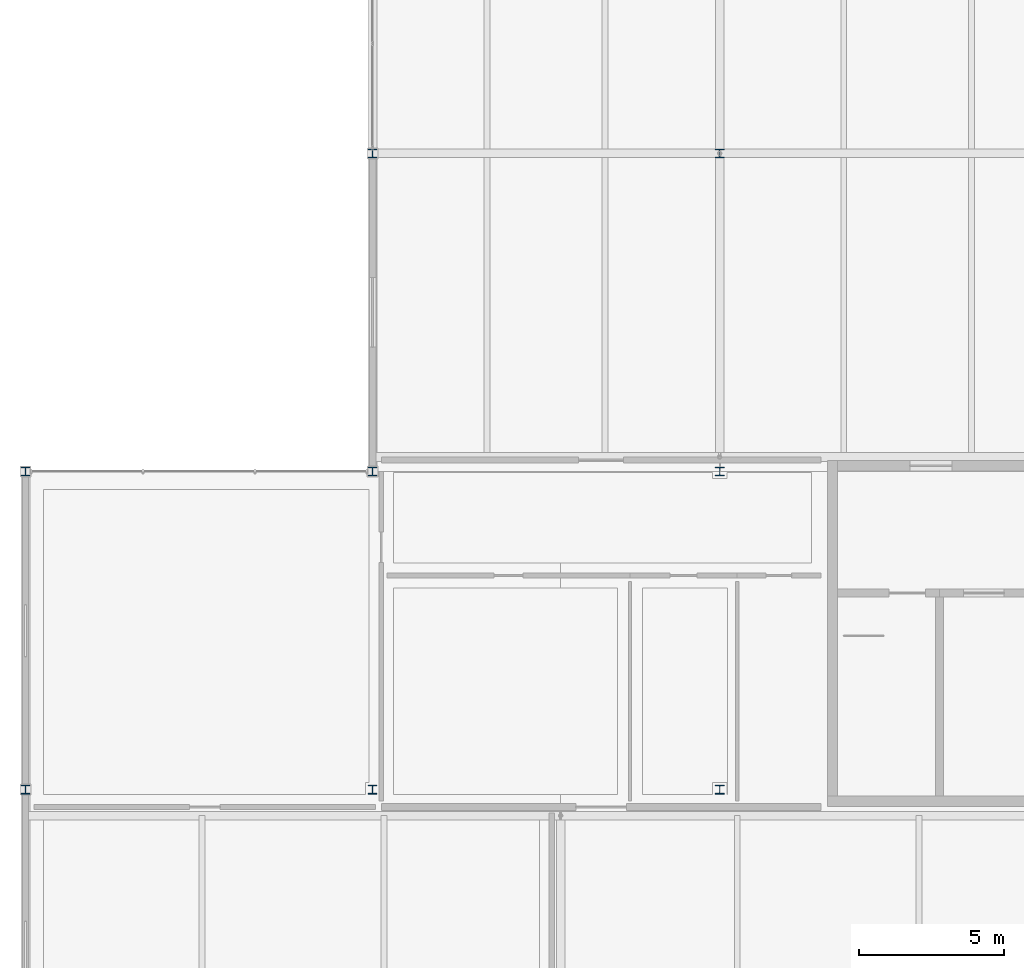
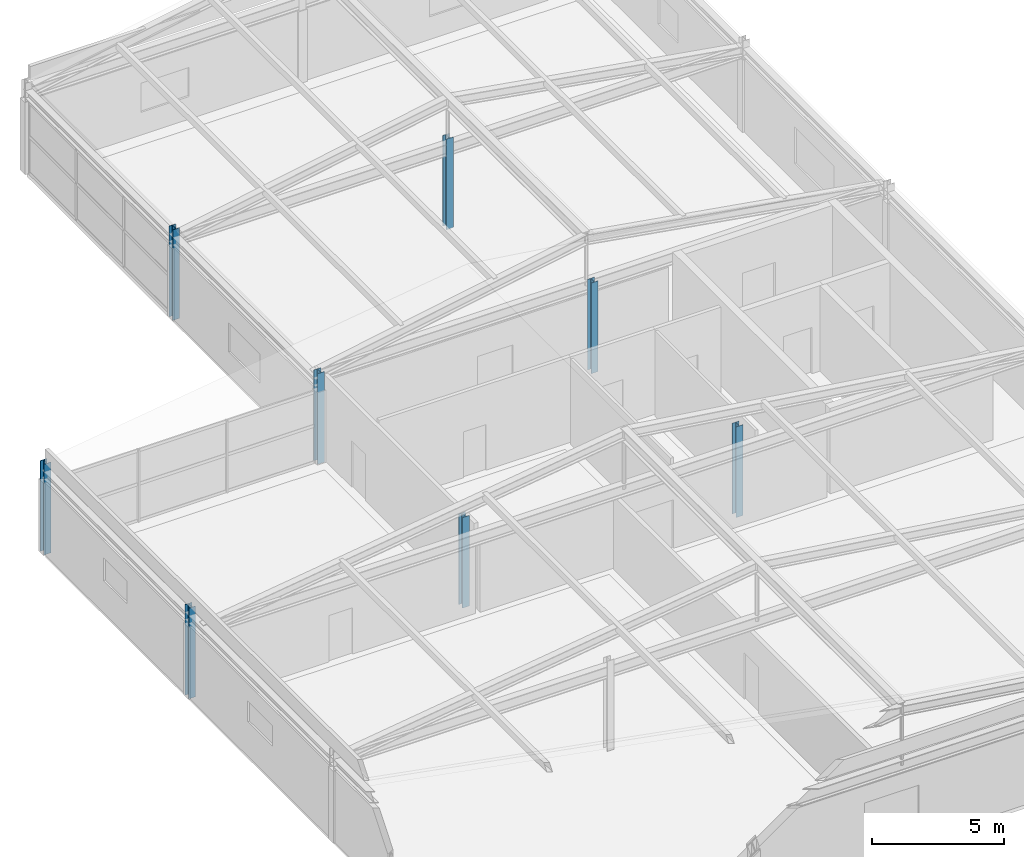
# One storey, part 5 of 63: 8 columns.
"""IFC4 building model written with IfcOpenShell, lengths in metres."""

import ifcopenshell
import ifcopenshell.guid

model = None  # the IFC model being written
_history = None  # IfcOwnerHistory: only IFC2X3 demands one
_inside = {}  # id of a spatial element -> (the spatial element, [elements in it])
_under = {}  # id of a project, library or spatial element -> (it, [spatial elements below it])
_declared = {}  # id of a project -> (the project, [libraries it declares])
_typed = {}  # id of a type object -> (the type object, [elements of that type])
_made_of = {}  # id of a material, layer set ... -> (it, [elements and type objects made of it])


def new_model(schema):
    """Start an empty IFC model of exactly this schema.

    Asked for "IFC4X3", IfcOpenShell would pick the latest addendum, in which some entities
    have other attributes; the version numbers below select the first issue.
    IFC2X3 requires an IfcOwnerHistory on every rooted entity: one is made here for all.
    """
    global model, _history
    if schema == "IFC4X3":
        model = ifcopenshell.file(schema_version=(4, 3, 0, 0))
    else:
        model = ifcopenshell.file(schema=schema)
    _inside.clear()
    _under.clear()
    _declared.clear()
    _typed.clear()
    _made_of.clear()
    _history = None
    if model.schema == "IFC2X3":
        org = make("IfcOrganization", Name="unknown")
        user = make(
            "IfcPersonAndOrganization",
            ThePerson=make("IfcPerson", FamilyName="unknown"),
            TheOrganization=org,
        )
        app = make(
            "IfcApplication",
            ApplicationDeveloper=org,
            Version="unknown",
            ApplicationFullName="unknown",
            ApplicationIdentifier="unknown",
        )
        _history = make(
            "IfcOwnerHistory",
            OwningUser=user,
            OwningApplication=app,
            ChangeAction="ADDED",
            CreationDate=0,
        )
    return model


def make(cls, **values):
    """One entity of the class cls with the attributes given. An attribute that is None is left unset."""
    return model.create_entity(
        cls, **{name: value for name, value in values.items() if value is not None}
    )


def rooted(cls, **values):
    """An entity with a GlobalId (a new one), such as an element, a storey or a relation."""
    return make(cls, GlobalId=ifcopenshell.guid.new(), OwnerHistory=_history, **values)


def si_unit(unit_type, name, prefix=None):
    """IfcSIUnit, for example si_unit("LENGTHUNIT", "METRE", prefix="MILLI")."""
    return make("IfcSIUnit", UnitType=unit_type, Prefix=prefix, Name=name)


def assignment(units):
    """IfcUnitAssignment: the units of a project."""
    return None if units is None else make("IfcUnitAssignment", Units=units)


def point(xyz):
    """IfcCartesianPoint."""
    return None if xyz is None else make("IfcCartesianPoint", Coordinates=xyz)


def direction(xyz):
    """IfcDirection."""
    return None if xyz is None else make("IfcDirection", DirectionRatios=xyz)


def frame(location, z_axis=None, x_axis=None):
    """IfcAxis2Placement3D, a coordinate frame: its origin and axes. An axis left out is left unset."""
    return make(
        "IfcAxis2Placement3D",
        Location=point(location),
        Axis=direction(z_axis),
        RefDirection=direction(x_axis),
    )


def frame_2d(location, x_axis=None):
    """IfcAxis2Placement2D, a coordinate frame in the plane: its origin and x axis."""
    return make(
        "IfcAxis2Placement2D", Location=point(location), RefDirection=direction(x_axis)
    )


def origin():
    """The frame at (0, 0, 0) with its axes left unset."""
    return frame((0.0, 0.0, 0.0))


def origin_2d():
    """The frame at (0, 0) in the plane with its x axis left unset."""
    return frame_2d((0.0, 0.0))


def place(relative_to, where):
    """IfcLocalPlacement: puts the frame where relative to a parent placement (None: the world)."""
    return make(
        "IfcLocalPlacement", PlacementRelTo=relative_to, RelativePlacement=where
    )


def context(
    kind, dimensions, precision=None, world=None, true_north=None, identifier=None
):
    """IfcGeometricRepresentationContext, for example the 3D "Model" context."""
    return make(
        "IfcGeometricRepresentationContext",
        ContextIdentifier=identifier,
        ContextType=kind,
        CoordinateSpaceDimension=dimensions,
        Precision=precision,
        WorldCoordinateSystem=world,
        TrueNorth=true_north,
    )


def subcontext(parent, identifier, kind, view, scale=None):
    """IfcGeometricRepresentationSubContext, for example "Body" below "Model"."""
    return make(
        "IfcGeometricRepresentationSubContext",
        ContextIdentifier=identifier,
        ContextType=kind,
        ParentContext=parent,
        TargetScale=scale,
        TargetView=view,
    )


def project(units=None, contexts=None):
    """IfcProject with its units and contexts."""
    return rooted(
        "IfcProject",
        Name="project",
        RepresentationContexts=contexts,
        UnitsInContext=assignment(units),
    )


def spatial(cls, under=None, at=None, **own):
    """A site, building, storey or space (cls), placed at a placement, below another one or the project."""
    s = rooted(cls, ObjectPlacement=at, **own)
    if under is not None:
        _under.setdefault(under.id(), (under, []))[1].append(s)
    return s


def profile(cls, at=None, kind="AREA", **sizes):
    """A parametric profile (cls). Its sizes go by their IFC names, for example OverallWidth=200.0."""
    return make(cls, ProfileType=kind, Position=at, **sizes)


def i_section(**sizes):
    """IfcIShapeProfileDef."""
    return profile("IfcIShapeProfileDef", **sizes)


def extrude(swept, where, along, depth):
    """IfcExtrudedAreaSolid: the profile swept, set in the frame where, extruded along a direction by depth."""
    return make(
        "IfcExtrudedAreaSolid",
        SweptArea=swept,
        Position=where,
        ExtrudedDirection=direction(along),
        Depth=depth,
    )


def shape(context_of_items, identifier, shape_type, items):
    """IfcShapeRepresentation: the items that make up one representation, for example the "Body"."""
    return make(
        "IfcShapeRepresentation",
        ContextOfItems=context_of_items,
        RepresentationIdentifier=identifier,
        RepresentationType=shape_type,
        Items=items,
    )


def material(Name=None, Category=None):
    """IfcMaterial."""
    return make("IfcMaterial", Name=Name, Category=Category)


def material_profile(
    of_material, cross_section, Name=None, Category=None, Priority=None
):
    """IfcMaterialProfile: a cross section and its material."""
    return make(
        "IfcMaterialProfile",
        Name=Name,
        Material=of_material,
        Profile=cross_section,
        Priority=Priority,
        Category=Category,
    )


def profile_set(profiles, Name=None, composite=None):
    """IfcMaterialProfileSet."""
    return make(
        "IfcMaterialProfileSet",
        Name=Name,
        MaterialProfiles=profiles,
        CompositeProfile=composite,
    )


def made_of(thing, what):
    """Note that an element or type object is made of a material, layer set ...; save() writes the relation."""
    if what is not None:
        _made_of.setdefault(what.id(), (what, []))[1].append(thing)
    return thing


def type_object(cls, material=None, **own):
    """A type object (cls), such as IfcWallType, which elements share."""
    return made_of(rooted(cls, **own), material)


def element(
    cls,
    number,
    at=None,
    inside=None,
    cuts=None,
    type_object=None,
    material=None,
    context=None,
    identifier="Body",
    shape_type=None,
    held_by="IfcProductDefinitionShape",
    body=None,
    shapes=None,
    **own,
):
    """One element of the class cls, such as IfcWall. Its Tag is "e" and its number.

    at: its placement. inside: the storey or other place that contains it. cuts: it is an
    opening in that element (IfcRelVoidsElement). A single representation is given by context,
    identifier, shape_type and body (its items); several are given by shapes. held_by: the class
    of the entity that holds the representations. save() writes the other relations.
    """
    e = rooted(cls, Tag="e%d" % number, ObjectPlacement=at, **own)
    if body is not None:
        shapes = [shape(context, identifier, shape_type, body)]
    if shapes is not None:
        e.Representation = make(held_by, Representations=shapes)
    if inside is not None:
        _inside.setdefault(inside.id(), (inside, []))[1].append(e)
    if cuts is not None:
        rooted(
            "IfcRelVoidsElement", RelatingBuildingElement=cuts, RelatedOpeningElement=e
        )
    if type_object is not None:
        _typed.setdefault(type_object.id(), (type_object, []))[1].append(e)
    return made_of(e, material)


def aggregate(whole, parts):
    """IfcRelAggregates: a whole, such as a stair, and the parts it consists of."""
    return rooted("IfcRelAggregates", RelatingObject=whole, RelatedObjects=parts)


def save(model, path):
    """Write the relations noted so far, then the file.

    IfcRelAggregates (storeys below a building ...), IfcRelContainedInSpatialStructure (elements
    in a storey), IfcRelDefinesByType, IfcRelAssociatesMaterial and IfcRelDeclares: one each for
    every whole, place, type object, material and project.
    """
    for whole, parts in _under.values():
        aggregate(whole, parts)
    for where, things in _inside.values():
        rooted(
            "IfcRelContainedInSpatialStructure",
            RelatedElements=things,
            RelatingStructure=where,
        )
    for kind, things in _typed.values():
        rooted("IfcRelDefinesByType", RelatedObjects=things, RelatingType=kind)
    for what, things in _made_of.values():
        rooted("IfcRelAssociatesMaterial", RelatedObjects=things, RelatingMaterial=what)
    for by, libraries in _declared.values():
        rooted("IfcRelDeclares", RelatingContext=by, RelatedDefinitions=libraries)
    model.write(path)


model = new_model("IFC4")

# Units and contexts
model_context = context("Model", 3, precision=1e-05, world=origin(), true_north=direction((0.0, 1.0)))
body_context = subcontext(model_context, "Body", "Model", "MODEL_VIEW")
ifc_project = project(units=[si_unit("LENGTHUNIT", "METRE"), si_unit("AREAUNIT", "SQUARE_METRE"), si_unit("VOLUMEUNIT", "CUBIC_METRE"), si_unit("PLANEANGLEUNIT", "RADIAN"), si_unit("MASSUNIT", "GRAM", prefix="KILO")], contexts=[model_context])

# Site, building, storey
site_placement = place(None, origin())
site = spatial("IfcSite", under=ifc_project, at=site_placement, CompositionType="ELEMENT")
building_placement = place(site_placement, origin())
building = spatial("IfcBuilding", under=site, at=building_placement, Name="Tarnveldt Headland Concert Hall", CompositionType="ELEMENT")
storey_placement = place(building_placement, frame((0.0, 0.0, 14.39990234375)))
storey = spatial("IfcBuildingStorey", under=building, at=storey_placement, Name="L03", CompositionType="ELEMENT", Elevation=14.39990234375)

# Columns
ifc_material = material(Name="Steel S355", Category="steel")
ifc_material_profile = material_profile(ifc_material, i_section(OverallWidth=0.300048828125, OverallDepth=0.300048828125, WebThickness=0.010986328125, FlangeThickness=0.01904296875, FilletRadius=0.027099609375, at=origin_2d()), Name="HEB300", Category="steel")
ifc_profile_set = profile_set([ifc_material_profile], Name="Steel S355")
column_type = type_object("IfcColumnType", Name="SC-HEB300", PredefinedType="COLUMN", material=ifc_profile_set)
for number, where, z_axis, x_axis, name in (
    (1, (7.5, 82.0, 0.0), (0.0, 0.0, 1.0), (1.0, 0.0, 0.0), "Column V5C03 L03"),
    (2, (7.5, 93.0, 0.0), (0.0, 0.0, 1.0), (1.0, 0.0, 0.0), "Column V5C04 L03"),
    (3, (19.5, 82.0, 0.0), (0.0, 0.0, 1.0), (1.0, 0.0, 0.0), "Column V5C07 L03"),
    (4, (19.5, 93.0, 0.0), (0.0, 0.0, 1.0), (1.0, 0.0, 0.0), "Column V5C08 L03"),
    (5, (19.5, 104.0, 0.0), (0.0, 0.0, 1.0), (1.0, 0.0, 0.0), "Column V5C09 L03"),
    (6, (31.5, 82.0, 0.0), (0.0, 0.0, 1.0), (1.0, 0.0, 0.0), "Column V5C12 L03"),
    (7, (31.5, 93.0, 0.0), (0.0, 0.0, 1.0), (1.0, 0.0, 0.0), "Column V5C13 L03"),
    (8, (31.5, 104.0, 0.0), (0.0, 0.0, 1.0), (1.0, 0.0, 0.0), "Column V5C14 L03"),
):
    element("IfcColumn", number, at=place(storey_placement, frame(where, z_axis=z_axis, x_axis=x_axis)), inside=storey, type_object=column_type, Name=name, PredefinedType="COLUMN", context=body_context, shape_type="SweptSolid", body=[
        extrude(i_section(OverallWidth=0.300048828125, OverallDepth=0.300048828125, WebThickness=0.010986328125, FlangeThickness=0.01904296875, FilletRadius=0.027099609375, at=origin_2d()), origin(), (0.0, 0.0, 1.0), 4.2001953125),
    ])

save(model, "model.ifc")
